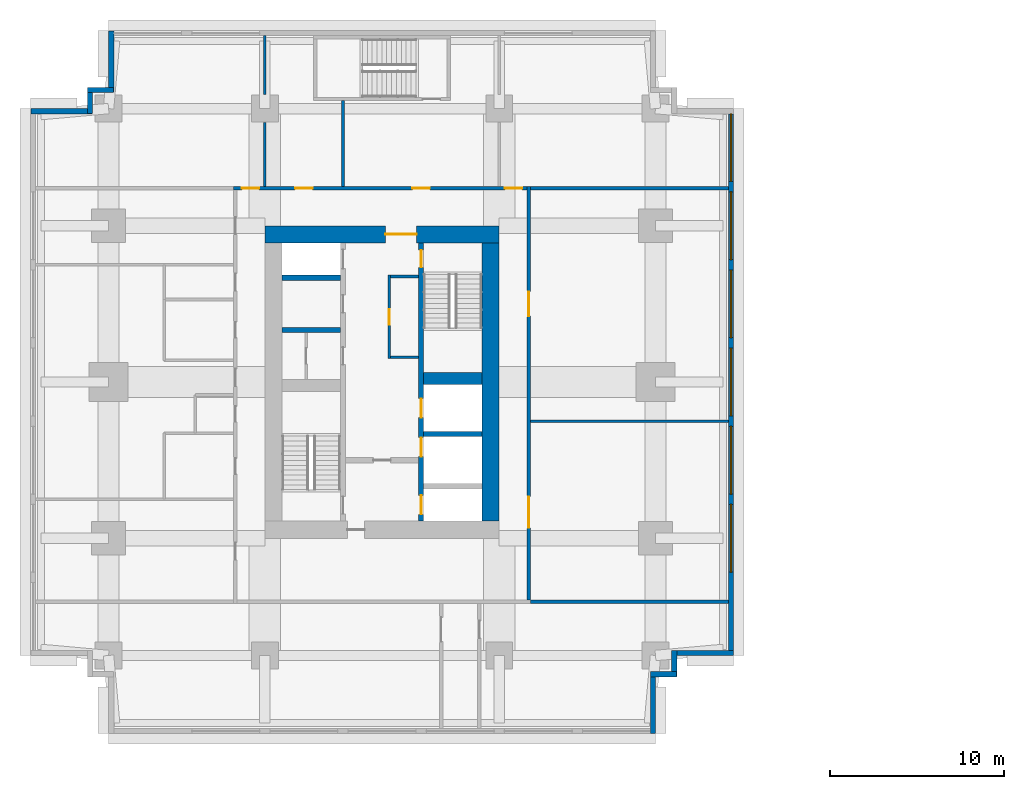
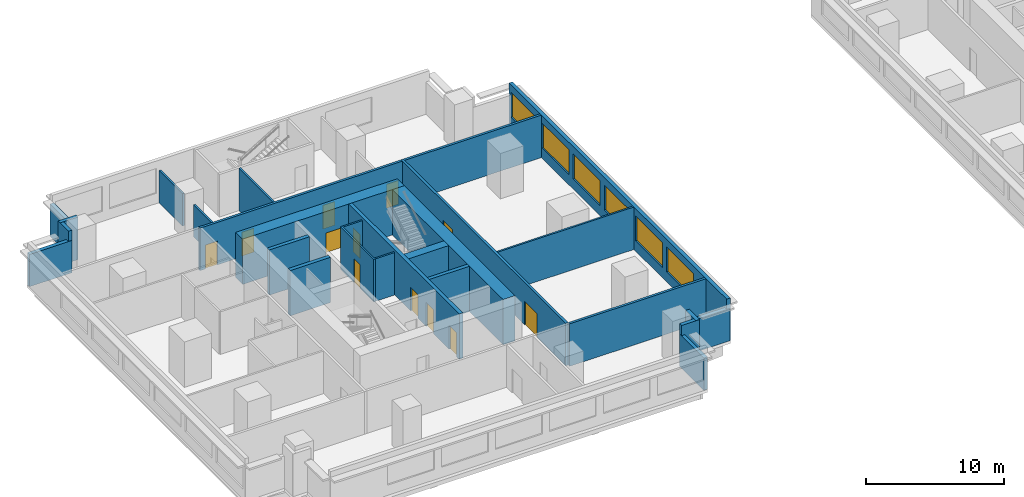
# One storey, part 4 of 11: 27 walls, 12 doors, 6 windows, 18 openings.
"""IFC4 building model written with IfcOpenShell, lengths in metres."""

from ifc_helpers import new_model, si_unit, direction, frame, frame_2d, origin, place, context, subcontext, project, spatial, rectangle, extrude, material, layer, layer_set, type_object, element, fill, save


model = new_model("IFC4")

# Units and contexts
model_context = context("Model", 3, precision=1e-05, world=origin(), true_north=direction((0.0, 1.0)))
body_context = subcontext(model_context, "Body", "Model", "MODEL_VIEW")
ifc_project = project(units=[si_unit("LENGTHUNIT", "METRE"), si_unit("AREAUNIT", "SQUARE_METRE"), si_unit("VOLUMEUNIT", "CUBIC_METRE"), si_unit("PLANEANGLEUNIT", "RADIAN"), si_unit("MASSUNIT", "GRAM", prefix="KILO")], contexts=[model_context])

# Site, building, storey
site_placement = place(None, origin())
site = spatial("IfcSite", under=ifc_project, at=site_placement, CompositionType="ELEMENT")
building_placement = place(site_placement, origin())
building = spatial("IfcBuilding", under=site, at=building_placement, Name="Namib Vertical Campus", CompositionType="ELEMENT")
storey_placement = place(building_placement, frame((0.0, 0.0, 205.0)))
storey = spatial("IfcBuildingStorey", under=building, at=storey_placement, Name="L48", CompositionType="ELEMENT", Elevation=205.0)

# Wall, openings, doors
ifc_material_1 = material(Name="Concrete C60/75", Category="concrete")
ifc_layer_1 = layer(ifc_material_1, 0.300048828125)
ifc_layer_set_1 = layer_set([ifc_layer_1], Name="Concrete C60/75")
wall_type_1 = type_object("IfcWallType", Name="Core inner wall 300", PredefinedType="SHEAR", material=ifc_layer_set_1)
wall_1_placement = place(storey_placement, frame((22.5, 12.25, 0.0), z_axis=(0.0, 0.0, 1.0), x_axis=(0.0, 1.0, 0.0)))
wall_1 = element("IfcWall", 1, at=wall_1_placement, inside=storey, type_object=wall_type_1, Name="Core inner wall A L48 W2", PredefinedType="SHEAR", context=body_context, shape_type="SweptSolid", body=[
    extrude(rectangle(XDim=16.0, YDim=0.300048828125, at=frame_2d((8.0, 0.0))), origin(), (0.0, 0.0, 1.0), 4.0),
])
opening_1_placement = place(wall_1_placement, frame((14.60009765625, 0.0, 0.0)))
opening_1 = element("IfcOpeningElement", 2, at=opening_1_placement, cuts=wall_1, Name="Opening FD1", PredefinedType="OPENING", context=body_context, shape_type="SweptSolid", body=[
    extrude(rectangle(XDim=1.0, YDim=2.10009765625, at=frame_2d((0.5, 1.050048828125))), frame((0.0, 0.159912109375, 0.0), z_axis=(0.0, -1.0, 0.0), x_axis=(1.0, 0.0, 0.0)), (0.0, 0.0, 1.0), 0.320068359375),
])
opening_2_placement = place(wall_1_placement, frame((0.375, 0.0, 0.0)))
opening_2 = element("IfcOpeningElement", 3, at=opening_2_placement, cuts=wall_1, Name="Opening LD1", PredefinedType="OPENING", context=body_context, shape_type="SweptSolid", body=[
    extrude(rectangle(XDim=1.10009765625, YDim=2.10009765625, at=frame_2d((0.550048828125, 1.050048828125))), frame((0.0, 0.159912109375, 0.0), z_axis=(0.0, -1.0, 0.0), x_axis=(1.0, 0.0, 0.0)), (0.0, 0.0, 1.0), 0.320068359375),
])
opening_3_placement = place(wall_1_placement, frame((3.699951171875, 0.0, 0.0)))
opening_3 = element("IfcOpeningElement", 4, at=opening_3_placement, cuts=wall_1, Name="Opening LD1", PredefinedType="OPENING", context=body_context, shape_type="SweptSolid", body=[
    extrude(rectangle(XDim=1.10009765625, YDim=2.10009765625, at=frame_2d((0.550048828125, 1.050048828125))), frame((0.0, 0.159912109375, 0.0), z_axis=(0.0, -1.0, 0.0), x_axis=(1.0, 0.0, 0.0)), (0.0, 0.0, 1.0), 0.320068359375),
])
opening_4_placement = place(wall_1_placement, frame((5.949951171875, 0.0, 0.0)))
opening_4 = element("IfcOpeningElement", 5, at=opening_4_placement, cuts=wall_1, Name="Opening LD1", PredefinedType="OPENING", context=body_context, shape_type="SweptSolid", body=[
    extrude(rectangle(XDim=1.10009765625, YDim=2.10009765625, at=frame_2d((0.550048828125, 1.050048828125))), frame((0.0, 0.159912109375, 0.0), z_axis=(0.0, -1.0, 0.0), x_axis=(1.0, 0.0, 0.0)), (0.0, 0.0, 1.0), 0.320068359375),
])
ifc_material_2 = material(Name="Steel fire door", Category="steel")
door_type_1 = type_object("IfcDoorType", Name="Fire door 1000x2100", OperationType="SINGLE_SWING_RIGHT", PredefinedType="DOOR", material=ifc_material_2)
door_1_placement = place(opening_1_placement, frame((1.0, 0.0, 0.0), z_axis=(0.0, 0.0, 1.0), x_axis=(-1.0, 0.0, 0.0)))
door_1 = element("IfcDoor", 6, at=door_1_placement, inside=storey, type_object=door_type_1, Name="Stair door FD1 A L48 S2", OperationType="SINGLE_SWING_LEFT", OverallHeight=2.10009765625, OverallWidth=1.0, PredefinedType="DOOR", context=body_context, shape_type="SweptSolid", body=[
    extrude(rectangle(XDim=1.0, YDim=2.10009765625, at=frame_2d((0.5, 1.050048828125))), frame((0.0, 0.02490234375, 0.0), z_axis=(0.0, -1.0, 0.0), x_axis=(1.0, 0.0, 0.0)), (0.0, 0.0, 1.0), 0.050048828125),
])
fill(opening_1, door_1)
ifc_material_3 = material(Name="Stainless steel lift door", Category="steel")
door_type_2 = type_object("IfcDoorType", Name="Lift landing door 1100x2100", OperationType="DOUBLE_DOOR_SLIDING", PredefinedType="DOOR", material=ifc_material_3)
door_2_placement = place(opening_2_placement, origin())
door_2 = element("IfcDoor", 7, at=door_2_placement, inside=storey, type_object=door_type_2, Name="Lift landing door LD1 A-FL1 L48", OperationType="DOUBLE_DOOR_SLIDING", OverallHeight=2.10009765625, OverallWidth=1.10009765625, PredefinedType="DOOR", context=body_context, shape_type="SweptSolid", body=[
    extrude(rectangle(XDim=1.10009765625, YDim=2.10009765625, at=frame_2d((0.550048828125, 1.050048828125))), frame((0.0, 0.02490234375, 0.0), z_axis=(0.0, -1.0, 0.0), x_axis=(1.0, 0.0, 0.0)), (0.0, 0.0, 1.0), 0.050048828125),
])
fill(opening_2, door_2)
door_3_placement = place(opening_3_placement, origin())
door_3 = element("IfcDoor", 8, at=door_3_placement, inside=storey, type_object=door_type_2, Name="Lift landing door LD1 A-P4 L48", OperationType="DOUBLE_DOOR_SLIDING", OverallHeight=2.10009765625, OverallWidth=1.10009765625, PredefinedType="DOOR", context=body_context, shape_type="SweptSolid", body=[
    extrude(rectangle(XDim=1.10009765625, YDim=2.10009765625, at=frame_2d((0.550048828125, 1.050048828125))), frame((0.0, 0.02490234375, 0.0), z_axis=(0.0, -1.0, 0.0), x_axis=(1.0, 0.0, 0.0)), (0.0, 0.0, 1.0), 0.050048828125),
])
fill(opening_3, door_3)
door_4_placement = place(opening_4_placement, origin())
door_4 = element("IfcDoor", 9, at=door_4_placement, inside=storey, type_object=door_type_2, Name="Lift landing door LD1 A-P5 L48", OperationType="DOUBLE_DOOR_SLIDING", OverallHeight=2.10009765625, OverallWidth=1.10009765625, PredefinedType="DOOR", context=body_context, shape_type="SweptSolid", body=[
    extrude(rectangle(XDim=1.10009765625, YDim=2.10009765625, at=frame_2d((0.550048828125, 1.050048828125))), frame((0.0, 0.02490234375, 0.0), z_axis=(0.0, -1.0, 0.0), x_axis=(1.0, 0.0, 0.0)), (0.0, 0.0, 1.0), 0.050048828125),
])
fill(opening_4, door_4)

# Walls
for number, where, z_axis, x_axis, name in (
    (10, (22.64990234375, 17.25, 0.0), (0.0, 0.0, 1.0), (1.0, 0.0, 0.0), "Core inner wall A L48 W6"),
    (11, (14.5, 23.25, 0.0), (0.0, 0.0, 1.0), (1.0, 0.0, 0.0), "Core inner wall A L48 W8"),
    (12, (14.5, 26.25, 0.0), (0.0, 0.0, 1.0), (1.0, 0.0, 0.0), "Core inner wall A L48 W9"),
):
    element("IfcWall", number, at=place(storey_placement, frame(where, z_axis=z_axis, x_axis=x_axis)), inside=storey, type_object=wall_type_1, Name=name, PredefinedType="SHEAR", context=body_context, shape_type="SweptSolid", body=[
        extrude(rectangle(XDim=3.35009765625, YDim=0.300048828125, at=frame_2d((1.675048828125, 0.0))), origin(), (0.0, 0.0, 1.0), 4.0),
    ])
ifc_material_4 = material(Name="Concrete C60/75", Category="concrete")
ifc_layer_2 = layer(ifc_material_4, 0.699951171875)
ifc_layer_set_2 = layer_set([ifc_layer_2], Name="Concrete C60/75")
wall_type_2 = type_object("IfcWallType", Name="Core shear wall 700", PredefinedType="SHEAR", material=ifc_layer_set_2)
wall_2_placement = place(storey_placement, frame((22.64990234375, 20.449951171875, 0.0), z_axis=(0.0, 0.0, 1.0), x_axis=(1.0, 0.0, 0.0)))
element("IfcWall", 13, at=wall_2_placement, inside=storey, type_object=wall_type_2, Name="Core shear wall A L48 W7", PredefinedType="SHEAR", context=body_context, shape_type="SweptSolid", body=[
    extrude(rectangle(XDim=3.35009765625, YDim=0.699951171875, at=frame_2d((1.675048828125, 0.0))), origin(), (0.0, 0.0, 1.0), 4.0),
])
ifc_material_5 = material(Name="Concrete C60/75", Category="concrete")
ifc_layer_3 = layer(ifc_material_5, 1.0)
ifc_layer_set_3 = layer_set([ifc_layer_3], Name="Concrete C60/75")
wall_type_3 = type_object("IfcWallType", Name="Core wall 1000", PredefinedType="SHEAR", material=ifc_layer_set_3)
wall_3_placement = place(storey_placement, frame((26.5, 12.25, 0.0), z_axis=(0.0, 0.0, 1.0), x_axis=(0.0, 1.0, 0.0)))
element("IfcWall", 14, at=wall_3_placement, inside=storey, type_object=wall_type_3, Name="Core wall A L48 2", PredefinedType="SHEAR", context=body_context, shape_type="SweptSolid", body=[
    extrude(rectangle(XDim=16.0, YDim=1.0, at=frame_2d((8.0, 0.0))), origin(), (0.0, 0.0, 1.0), 4.0),
])

# Wall, opening, door
wall_4_placement = place(storey_placement, frame((27.0, 28.75, 0.0), z_axis=(0.0, 0.0, 1.0), x_axis=(-1.0, 0.0, 0.0)))
wall_4 = element("IfcWall", 15, at=wall_4_placement, inside=storey, type_object=wall_type_3, Name="Core wall A L48 3", PredefinedType="SHEAR", context=body_context, shape_type="SweptSolid", body=[
    extrude(rectangle(XDim=13.5, YDim=1.0, at=frame_2d((6.75, 0.0))), origin(), (0.0, 0.0, 1.0), 4.0),
])
opening_5_placement = place(wall_4_placement, frame((4.75, 0.0, 0.0)))
opening_5 = element("IfcOpeningElement", 16, at=opening_5_placement, cuts=wall_4, Name="Opening FD2", PredefinedType="OPENING", context=body_context, shape_type="SweptSolid", body=[
    extrude(rectangle(XDim=1.800048828125, YDim=2.10009765625, at=frame_2d((0.89990234375, 1.050048828125))), frame((0.0, 0.510009765625, 0.0), z_axis=(0.0, -1.0, 0.0), x_axis=(1.0, 0.0, 0.0)), (0.0, 0.0, 1.0), 1.02001953125),
])
ifc_material_6 = material(Name="Steel fire door", Category="steel")
door_type_3 = type_object("IfcDoorType", Name="Fire door double 1800x2100", OperationType="DOUBLE_DOOR_SINGLE_SWING", PredefinedType="DOOR", material=ifc_material_6)
door_5_placement = place(opening_5_placement, origin())
door_5 = element("IfcDoor", 17, at=door_5_placement, inside=storey, type_object=door_type_3, Name="Lift lobby door FD2 A L48", OperationType="DOUBLE_DOOR_SINGLE_SWING", OverallHeight=2.10009765625, OverallWidth=1.800048828125, PredefinedType="DOOR", context=body_context, shape_type="SweptSolid", body=[
    extrude(rectangle(XDim=1.800048828125, YDim=2.10009765625, at=frame_2d((0.89990234375, 1.050048828125))), frame((0.0, 0.02490234375, 0.0), z_axis=(0.0, -1.0, 0.0), x_axis=(1.0, 0.0, 0.0)), (0.0, 0.0, 1.0), 0.050048828125),
])
fill(opening_5, door_5)

# Wall, openings, doors
ifc_material_7 = material(Name="Concrete masonry", Category="masonry")
ifc_layer_4 = layer(ifc_material_7, 0.199951171875)
ifc_layer_set_4 = layer_set([ifc_layer_4], Name="Corridor wall 200")
wall_type_4 = type_object("IfcWallType", Name="Corridor wall 200", PredefinedType="SOLIDWALL", material=ifc_layer_set_4)
wall_5_placement = place(storey_placement, frame((28.699951171875, 7.699951171875, 0.0), z_axis=(0.0, 0.0, 1.0), x_axis=(0.0, 1.0, 0.0)))
wall_5 = element("IfcWall", 18, at=wall_5_placement, inside=storey, type_object=wall_type_4, Name="Corridor wall A L48 CE", PredefinedType="SOLIDWALL", context=body_context, shape_type="SweptSolid", body=[
    extrude(rectangle(XDim=23.800048828125, YDim=0.199951171875, at=frame_2d((11.89990234375, 0.0))), origin(), (0.0, 0.0, 1.0), 3.75),
])
opening_6_placement = place(wall_5_placement, frame((4.14990234375, 0.0, 0.0)))
opening_6 = element("IfcOpeningElement", 19, at=opening_6_placement, cuts=wall_5, Name="Opening CD2", PredefinedType="OPENING", context=body_context, shape_type="SweptSolid", body=[
    extrude(rectangle(XDim=1.800048828125, YDim=2.10009765625, at=frame_2d((0.89990234375, 1.050048828125))), frame((0.0, 0.10986328125, 0.0), z_axis=(0.0, -1.0, 0.0), x_axis=(1.0, 0.0, 0.0)), (0.0, 0.0, 1.0), 0.219970703125),
])
opening_7_placement = place(wall_5_placement, frame((16.35009765625, 0.0, 0.0)))
opening_7 = element("IfcOpeningElement", 20, at=opening_7_placement, cuts=wall_5, Name="Opening LB1", PredefinedType="OPENING", context=body_context, shape_type="SweptSolid", body=[
    extrude(rectangle(XDim=1.39990234375, YDim=2.10009765625, at=frame_2d((0.699951171875, 1.050048828125))), frame((0.0, 0.10986328125, 0.0), z_axis=(0.0, -1.0, 0.0), x_axis=(1.0, 0.0, 0.0)), (0.0, 0.0, 1.0), 0.219970703125),
])
ifc_material_8 = material(Name="Timber fire door leaf", Category="wood")
door_type_4 = type_object("IfcDoorType", Name="Corridor door double 1800x2100 20 min", OperationType="DOUBLE_DOOR_SINGLE_SWING", PredefinedType="DOOR", material=ifc_material_8)
door_6_placement = place(opening_6_placement, frame((1.800048828125, 0.0, 0.0), z_axis=(0.0, 0.0, 1.0), x_axis=(-1.0, 0.0, 0.0)))
door_6 = element("IfcDoor", 21, at=door_6_placement, inside=storey, type_object=door_type_4, Name="Door CD2 A48-03", OperationType="DOUBLE_DOOR_SINGLE_SWING", OverallHeight=2.10009765625, OverallWidth=1.800048828125, PredefinedType="DOOR", context=body_context, shape_type="SweptSolid", body=[
    extrude(rectangle(XDim=1.800048828125, YDim=2.10009765625, at=frame_2d((0.89990234375, 1.050048828125))), frame((0.0, 0.02490234375, 0.0), z_axis=(0.0, -1.0, 0.0), x_axis=(1.0, 0.0, 0.0)), (0.0, 0.0, 1.0), 0.050048828125),
])
fill(opening_6, door_6)
ifc_material_9 = material(Name="Timber fire door leaf", Category="wood")
door_type_5 = type_object("IfcDoorType", Name="Laboratory door 1400x2100 leaf and a half", OperationType="DOUBLE_DOOR_SINGLE_SWING", PredefinedType="DOOR", material=ifc_material_9)
door_7_placement = place(opening_7_placement, frame((1.39990234375, 0.0, 0.0), z_axis=(0.0, 0.0, 1.0), x_axis=(-1.0, 0.0, 0.0)))
door_7 = element("IfcDoor", 22, at=door_7_placement, inside=storey, type_object=door_type_5, Name="Door LB1 A48-04", OperationType="DOUBLE_DOOR_SINGLE_SWING", OverallHeight=2.10009765625, OverallWidth=1.39990234375, PredefinedType="DOOR", context=body_context, shape_type="SweptSolid", body=[
    extrude(rectangle(XDim=1.39990234375, YDim=2.10009765625, at=frame_2d((0.699951171875, 1.050048828125))), frame((0.0, 0.02490234375, 0.0), z_axis=(0.0, -1.0, 0.0), x_axis=(1.0, 0.0, 0.0)), (0.0, 0.0, 1.0), 0.050048828125),
])
fill(opening_7, door_7)

wall_6_placement = place(storey_placement, frame((28.60009765625, 31.39990234375, 0.0), z_axis=(0.0, 0.0, 1.0), x_axis=(-1.0, 0.0, 0.0)))
wall_6 = element("IfcWall", 23, at=wall_6_placement, inside=storey, type_object=wall_type_4, Name="Corridor wall A L48 CN", PredefinedType="SOLIDWALL", context=body_context, shape_type="SweptSolid", body=[
    extrude(rectangle(XDim=16.900146484375, YDim=0.199951171875, at=frame_2d((8.4501953125, 0.0))), origin(), (0.0, 0.0, 1.0), 3.75),
])
opening_8_placement = place(wall_6_placement, frame((15.425048828125, 0.0, 0.0)))
opening_8 = element("IfcOpeningElement", 24, at=opening_8_placement, cuts=wall_6, Name="Opening CD1", PredefinedType="OPENING", context=body_context, shape_type="SweptSolid", body=[
    extrude(rectangle(XDim=1.0, YDim=2.10009765625, at=frame_2d((0.5, 1.050048828125))), frame((0.0, 0.10986328125, 0.0), z_axis=(0.0, -1.0, 0.0), x_axis=(1.0, 0.0, 0.0)), (0.0, 0.0, 1.0), 0.219970703125),
])
opening_9_placement = place(wall_6_placement, frame((12.35009765625, 0.0, 0.0)))
opening_9 = element("IfcOpeningElement", 25, at=opening_9_placement, cuts=wall_6, Name="Opening CD1", PredefinedType="OPENING", context=body_context, shape_type="SweptSolid", body=[
    extrude(rectangle(XDim=1.0, YDim=2.10009765625, at=frame_2d((0.5, 1.050048828125))), frame((0.0, 0.10986328125, 0.0), z_axis=(0.0, -1.0, 0.0), x_axis=(1.0, 0.0, 0.0)), (0.0, 0.0, 1.0), 0.219970703125),
])
opening_10_placement = place(wall_6_placement, frame((5.60009765625, 0.0, 0.0)))
opening_10 = element("IfcOpeningElement", 26, at=opening_10_placement, cuts=wall_6, Name="Opening CD4", PredefinedType="OPENING", context=body_context, shape_type="SweptSolid", body=[
    extrude(rectangle(XDim=1.0, YDim=2.10009765625, at=frame_2d((0.5, 1.050048828125))), frame((0.0, 0.10986328125, 0.0), z_axis=(0.0, -1.0, 0.0), x_axis=(1.0, 0.0, 0.0)), (0.0, 0.0, 1.0), 0.219970703125),
])
opening_11_placement = place(wall_6_placement, frame((0.27490234375, 0.0, 0.0)))
opening_11 = element("IfcOpeningElement", 27, at=opening_11_placement, cuts=wall_6, Name="Opening CD1", PredefinedType="OPENING", context=body_context, shape_type="SweptSolid", body=[
    extrude(rectangle(XDim=1.0, YDim=2.10009765625, at=frame_2d((0.5, 1.050048828125))), frame((0.0, 0.10986328125, 0.0), z_axis=(0.0, -1.0, 0.0), x_axis=(1.0, 0.0, 0.0)), (0.0, 0.0, 1.0), 0.219970703125),
])
ifc_material_10 = material(Name="Timber fire door leaf", Category="wood")
door_type_6 = type_object("IfcDoorType", Name="Corridor door 1000x2100 20 min", OperationType="SINGLE_SWING_LEFT", PredefinedType="DOOR", material=ifc_material_10)
door_8_placement = place(opening_8_placement, frame((1.0, 0.0, 0.0), z_axis=(0.0, 0.0, 1.0), x_axis=(-1.0, 0.0, 0.0)))
door_8 = element("IfcDoor", 28, at=door_8_placement, inside=storey, type_object=door_type_6, Name="Door CD1 A48-05", OperationType="SINGLE_SWING_RIGHT", OverallHeight=2.10009765625, OverallWidth=1.0, PredefinedType="DOOR", context=body_context, shape_type="SweptSolid", body=[
    extrude(rectangle(XDim=1.0, YDim=2.10009765625, at=frame_2d((0.5, 1.050048828125))), frame((0.0, 0.02490234375, 0.0), z_axis=(0.0, -1.0, 0.0), x_axis=(1.0, 0.0, 0.0)), (0.0, 0.0, 1.0), 0.050048828125),
])
fill(opening_8, door_8)
door_9_placement = place(opening_9_placement, frame((1.0, 0.0, 0.0), z_axis=(0.0, 0.0, 1.0), x_axis=(-1.0, 0.0, 0.0)))
door_9 = element("IfcDoor", 29, at=door_9_placement, inside=storey, type_object=door_type_6, Name="Door CD1 A48-06", OperationType="SINGLE_SWING_RIGHT", OverallHeight=2.10009765625, OverallWidth=1.0, PredefinedType="DOOR", context=body_context, shape_type="SweptSolid", body=[
    extrude(rectangle(XDim=1.0, YDim=2.10009765625, at=frame_2d((0.5, 1.050048828125))), frame((0.0, 0.02490234375, 0.0), z_axis=(0.0, -1.0, 0.0), x_axis=(1.0, 0.0, 0.0)), (0.0, 0.0, 1.0), 0.050048828125),
])
fill(opening_9, door_9)
door_10_placement = place(opening_11_placement, frame((1.0, 0.0, 0.0), z_axis=(0.0, 0.0, 1.0), x_axis=(-1.0, 0.0, 0.0)))
door_10 = element("IfcDoor", 30, at=door_10_placement, inside=storey, type_object=door_type_6, Name="Door CD1 A48-08", OperationType="SINGLE_SWING_LEFT", OverallHeight=2.10009765625, OverallWidth=1.0, PredefinedType="DOOR", context=body_context, shape_type="SweptSolid", body=[
    extrude(rectangle(XDim=1.0, YDim=2.10009765625, at=frame_2d((0.5, 1.050048828125))), frame((0.0, 0.02490234375, 0.0), z_axis=(0.0, -1.0, 0.0), x_axis=(1.0, 0.0, 0.0)), (0.0, 0.0, 1.0), 0.050048828125),
])
fill(opening_11, door_10)
ifc_material_11 = material(Name="Timber fire door leaf", Category="wood")
door_type_7 = type_object("IfcDoorType", Name="Corridor door 1000x2100 20 min double-acting", OperationType="DOUBLE_SWING_LEFT", PredefinedType="DOOR", material=ifc_material_11)
door_11_placement = place(opening_10_placement, origin())
door_11 = element("IfcDoor", 31, at=door_11_placement, inside=storey, type_object=door_type_7, Name="Door CD4 A48-07", OperationType="DOUBLE_SWING_LEFT", OverallHeight=2.10009765625, OverallWidth=1.0, PredefinedType="DOOR", context=body_context, shape_type="SweptSolid", body=[
    extrude(rectangle(XDim=1.0, YDim=2.10009765625, at=frame_2d((0.5, 1.050048828125))), frame((0.0, 0.02490234375, 0.0), z_axis=(0.0, -1.0, 0.0), x_axis=(1.0, 0.0, 0.0)), (0.0, 0.0, 1.0), 0.050048828125),
])
fill(opening_10, door_11)

# Walls
for number, where, z_axis, x_axis, name in (
    (32, (28.800048828125, 7.60009765625, 0.0), (0.0, 0.0, 1.0), (1.0, 0.0, 0.0), "Partition A L48 BSE"),
    (33, (28.800048828125, 31.39990234375, 0.0), (0.0, 0.0, 1.0), (1.0, 0.0, 0.0), "Partition A L48 BNE"),
):
    element("IfcWall", number, at=place(storey_placement, frame(where, z_axis=z_axis, x_axis=x_axis)), inside=storey, type_object=wall_type_4, Name=name, PredefinedType="SOLIDWALL", context=body_context, shape_type="SweptSolid", body=[
        extrude(rectangle(XDim=11.39990234375, YDim=0.199951171875, at=frame_2d((5.699951171875, 0.0))), origin(), (0.0, 0.0, 1.0), 3.75),
    ])
ifc_material_12 = material(Name="Concrete C40/50", Category="concrete")
ifc_layer_5 = layer(ifc_material_12, 0.300048828125)
ifc_layer_set_5 = layer_set([ifc_layer_5], Name="Concrete C40/50")
wall_type_5 = type_object("IfcWallType", Name="External wall 300 board-marked concrete", PredefinedType="STANDARD", material=ifc_layer_set_5)
wall_7_placement = place(storey_placement, frame((35.85009765625, 0.02001953125, 0.0), z_axis=(0.0, 0.0, 1.0), x_axis=(0.0, 1.0, 0.0)))
element("IfcWall", 34, at=wall_7_placement, inside=storey, type_object=wall_type_5, Name="External wall L48 F02", PredefinedType="STANDARD", context=body_context, shape_type="SweptSolid", body=[
    extrude(rectangle(XDim=3.534912109375, YDim=0.300048828125, at=frame_2d((1.767578125, 0.0))), origin(), (0.0, 0.0, 1.0), 2.85009765625),
])
for number, where, z_axis, x_axis, name in (
    (35, (35.719970703125, 3.425048828125, 0.0), (0.0, 0.0, 1.0), (1.0, 0.0, 0.0), "External wall L48 F03"),
    (36, (37.074951171875, 3.294921875, 0.0), (0.0, 0.0, 1.0), (0.0, 1.0, 0.0), "External wall L48 F04"),
):
    element("IfcWall", number, at=place(storey_placement, frame(where, z_axis=z_axis, x_axis=x_axis)), inside=storey, type_object=wall_type_5, Name=name, PredefinedType="STANDARD", context=body_context, shape_type="SweptSolid", body=[
        extrude(rectangle(XDim=1.485107421875, YDim=0.300048828125, at=frame_2d((0.74267578125, 0.0))), origin(), (0.0, 0.0, 1.0), 3.75),
    ])
wall_8_placement = place(storey_placement, frame((36.945068359375, 4.64990234375, 0.0), z_axis=(0.0, 0.0, 1.0), x_axis=(1.0, 0.0, 0.0)))
element("IfcWall", 37, at=wall_8_placement, inside=storey, type_object=wall_type_5, Name="External wall L48 F05", PredefinedType="STANDARD", context=body_context, shape_type="SweptSolid", body=[
    extrude(rectangle(XDim=3.534912109375, YDim=0.300048828125, at=frame_2d((1.767578125, 0.0))), origin(), (0.0, 0.0, 1.0), 2.85009765625),
])

# Wall, openings, windows
wall_9_placement = place(storey_placement, frame((40.35009765625, 4.52001953125, 0.0), z_axis=(0.0, 0.0, 1.0), x_axis=(0.0, 1.0, 0.0)))
wall_9 = element("IfcWall", 38, at=wall_9_placement, inside=storey, type_object=wall_type_5, Name="External wall L48 F06", PredefinedType="STANDARD", context=body_context, shape_type="SweptSolid", body=[
    extrude(rectangle(XDim=31.4599609375, YDim=0.300048828125, at=frame_2d((15.72998046875, 0.0))), origin(), (0.0, 0.0, 1.0), 3.75),
])
opening_12_placement = place(wall_9_placement, frame((4.780029296875, 0.0, 0.89990234375)))
opening_12 = element("IfcOpeningElement", 39, at=opening_12_placement, cuts=wall_9, Name="Opening W1", PredefinedType="OPENING", context=body_context, shape_type="SweptSolid", body=[
    extrude(rectangle(XDim=3.89990234375, YDim=2.199951171875, at=frame_2d((1.949951171875, 1.10009765625))), frame((0.0, 0.159912109375, 0.0), z_axis=(0.0, -1.0, 0.0), x_axis=(1.0, 0.0, 0.0)), (0.0, 0.0, 1.0), 0.320068359375),
])
opening_13_placement = place(wall_9_placement, frame((9.280029296875, 0.0, 0.89990234375)))
opening_13 = element("IfcOpeningElement", 40, at=opening_13_placement, cuts=wall_9, Name="Opening W1", PredefinedType="OPENING", context=body_context, shape_type="SweptSolid", body=[
    extrude(rectangle(XDim=3.89990234375, YDim=2.199951171875, at=frame_2d((1.949951171875, 1.10009765625))), frame((0.0, 0.159912109375, 0.0), z_axis=(0.0, -1.0, 0.0), x_axis=(1.0, 0.0, 0.0)), (0.0, 0.0, 1.0), 0.320068359375),
])
opening_14_placement = place(wall_9_placement, frame((13.780029296875, 0.0, 0.89990234375)))
opening_14 = element("IfcOpeningElement", 41, at=opening_14_placement, cuts=wall_9, Name="Opening W1", PredefinedType="OPENING", context=body_context, shape_type="SweptSolid", body=[
    extrude(rectangle(XDim=3.89990234375, YDim=2.199951171875, at=frame_2d((1.949951171875, 1.10009765625))), frame((0.0, 0.159912109375, 0.0), z_axis=(0.0, -1.0, 0.0), x_axis=(1.0, 0.0, 0.0)), (0.0, 0.0, 1.0), 0.320068359375),
])
opening_15_placement = place(wall_9_placement, frame((18.280029296875, 0.0, 0.89990234375)))
opening_15 = element("IfcOpeningElement", 42, at=opening_15_placement, cuts=wall_9, Name="Opening W1", PredefinedType="OPENING", context=body_context, shape_type="SweptSolid", body=[
    extrude(rectangle(XDim=3.89990234375, YDim=2.199951171875, at=frame_2d((1.949951171875, 1.10009765625))), frame((0.0, 0.159912109375, 0.0), z_axis=(0.0, -1.0, 0.0), x_axis=(1.0, 0.0, 0.0)), (0.0, 0.0, 1.0), 0.320068359375),
])
opening_16_placement = place(wall_9_placement, frame((22.780029296875, 0.0, 0.89990234375)))
opening_16 = element("IfcOpeningElement", 43, at=opening_16_placement, cuts=wall_9, Name="Opening W1", PredefinedType="OPENING", context=body_context, shape_type="SweptSolid", body=[
    extrude(rectangle(XDim=3.89990234375, YDim=2.199951171875, at=frame_2d((1.949951171875, 1.10009765625))), frame((0.0, 0.159912109375, 0.0), z_axis=(0.0, -1.0, 0.0), x_axis=(1.0, 0.0, 0.0)), (0.0, 0.0, 1.0), 0.320068359375),
])
opening_17_placement = place(wall_9_placement, frame((27.280029296875, 0.0, 0.89990234375)))
opening_17 = element("IfcOpeningElement", 44, at=opening_17_placement, cuts=wall_9, Name="Opening W1", PredefinedType="OPENING", context=body_context, shape_type="SweptSolid", body=[
    extrude(rectangle(XDim=3.89990234375, YDim=2.199951171875, at=frame_2d((1.949951171875, 1.10009765625))), frame((0.0, 0.159912109375, 0.0), z_axis=(0.0, -1.0, 0.0), x_axis=(1.0, 0.0, 0.0)), (0.0, 0.0, 1.0), 0.320068359375),
])
ifc_material_13 = material(Name="Dark tinted glass in black aluminium frame", Category="aluminium")
window_type = type_object("IfcWindowType", Name="Ribbon window 3900x2200", PartitioningType="SINGLE_PANEL", PredefinedType="WINDOW", material=ifc_material_13)
window_1_placement = place(opening_12_placement, origin())
window_1 = element("IfcWindow", 45, at=window_1_placement, inside=storey, type_object=window_type, Name="Window W1 L48 F06-2", OverallHeight=2.199951171875, OverallWidth=3.89990234375, PartitioningType="SINGLE_PANEL", PredefinedType="WINDOW", context=body_context, shape_type="SweptSolid", body=[
    extrude(rectangle(XDim=3.89990234375, YDim=2.199951171875, at=frame_2d((1.949951171875, 1.10009765625))), frame((0.0, 0.030029296875, 0.0), z_axis=(0.0, -1.0, 0.0), x_axis=(1.0, 0.0, 0.0)), (0.0, 0.0, 1.0), 0.06005859375),
])
fill(opening_12, window_1)
window_2_placement = place(opening_13_placement, origin())
window_2 = element("IfcWindow", 46, at=window_2_placement, inside=storey, type_object=window_type, Name="Window W1 L48 F06-3", OverallHeight=2.199951171875, OverallWidth=3.89990234375, PartitioningType="SINGLE_PANEL", PredefinedType="WINDOW", context=body_context, shape_type="SweptSolid", body=[
    extrude(rectangle(XDim=3.89990234375, YDim=2.199951171875, at=frame_2d((1.949951171875, 1.10009765625))), frame((0.0, 0.030029296875, 0.0), z_axis=(0.0, -1.0, 0.0), x_axis=(1.0, 0.0, 0.0)), (0.0, 0.0, 1.0), 0.06005859375),
])
fill(opening_13, window_2)
window_3_placement = place(opening_14_placement, origin())
window_3 = element("IfcWindow", 47, at=window_3_placement, inside=storey, type_object=window_type, Name="Window W1 L48 F06-4", OverallHeight=2.199951171875, OverallWidth=3.89990234375, PartitioningType="SINGLE_PANEL", PredefinedType="WINDOW", context=body_context, shape_type="SweptSolid", body=[
    extrude(rectangle(XDim=3.89990234375, YDim=2.199951171875, at=frame_2d((1.949951171875, 1.10009765625))), frame((0.0, 0.030029296875, 0.0), z_axis=(0.0, -1.0, 0.0), x_axis=(1.0, 0.0, 0.0)), (0.0, 0.0, 1.0), 0.06005859375),
])
fill(opening_14, window_3)
window_4_placement = place(opening_15_placement, origin())
window_4 = element("IfcWindow", 48, at=window_4_placement, inside=storey, type_object=window_type, Name="Window W1 L48 F06-5", OverallHeight=2.199951171875, OverallWidth=3.89990234375, PartitioningType="SINGLE_PANEL", PredefinedType="WINDOW", context=body_context, shape_type="SweptSolid", body=[
    extrude(rectangle(XDim=3.89990234375, YDim=2.199951171875, at=frame_2d((1.949951171875, 1.10009765625))), frame((0.0, 0.030029296875, 0.0), z_axis=(0.0, -1.0, 0.0), x_axis=(1.0, 0.0, 0.0)), (0.0, 0.0, 1.0), 0.06005859375),
])
fill(opening_15, window_4)
window_5_placement = place(opening_16_placement, origin())
window_5 = element("IfcWindow", 49, at=window_5_placement, inside=storey, type_object=window_type, Name="Window W1 L48 F06-6", OverallHeight=2.199951171875, OverallWidth=3.89990234375, PartitioningType="SINGLE_PANEL", PredefinedType="WINDOW", context=body_context, shape_type="SweptSolid", body=[
    extrude(rectangle(XDim=3.89990234375, YDim=2.199951171875, at=frame_2d((1.949951171875, 1.10009765625))), frame((0.0, 0.030029296875, 0.0), z_axis=(0.0, -1.0, 0.0), x_axis=(1.0, 0.0, 0.0)), (0.0, 0.0, 1.0), 0.06005859375),
])
fill(opening_16, window_5)
window_6_placement = place(opening_17_placement, origin())
window_6 = element("IfcWindow", 50, at=window_6_placement, inside=storey, type_object=window_type, Name="Window W1 L48 F06-7", OverallHeight=2.199951171875, OverallWidth=3.89990234375, PartitioningType="SINGLE_PANEL", PredefinedType="WINDOW", context=body_context, shape_type="SweptSolid", body=[
    extrude(rectangle(XDim=3.89990234375, YDim=2.199951171875, at=frame_2d((1.949951171875, 1.10009765625))), frame((0.0, 0.030029296875, 0.0), z_axis=(0.0, -1.0, 0.0), x_axis=(1.0, 0.0, 0.0)), (0.0, 0.0, 1.0), 0.06005859375),
])
fill(opening_17, window_6)

# Walls
wall_10_placement = place(storey_placement, frame((4.64990234375, 40.47998046875, 0.0), z_axis=(0.0, 0.0, 1.0), x_axis=(0.0, -1.0, 0.0)))
element("IfcWall", 51, at=wall_10_placement, inside=storey, type_object=wall_type_5, Name="External wall L48 F12", PredefinedType="STANDARD", context=body_context, shape_type="SweptSolid", body=[
    extrude(rectangle(XDim=3.534912109375, YDim=0.300048828125, at=frame_2d((1.767578125, 0.0))), origin(), (0.0, 0.0, 1.0), 2.85009765625),
])
for number, where, z_axis, x_axis, name in (
    (52, (4.780029296875, 37.074951171875, 0.0), (0.0, 0.0, 1.0), (-1.0, 0.0, 0.0), "External wall L48 F13"),
    (53, (3.425048828125, 37.205078125, 0.0), (0.0, 0.0, 1.0), (0.0, -1.0, 0.0), "External wall L48 F14"),
):
    element("IfcWall", number, at=place(storey_placement, frame(where, z_axis=z_axis, x_axis=x_axis)), inside=storey, type_object=wall_type_5, Name=name, PredefinedType="STANDARD", context=body_context, shape_type="SweptSolid", body=[
        extrude(rectangle(XDim=1.485107421875, YDim=0.300048828125, at=frame_2d((0.74267578125, 0.0))), origin(), (0.0, 0.0, 1.0), 3.75),
    ])
wall_11_placement = place(storey_placement, frame((3.554931640625, 35.85009765625, 0.0), z_axis=(0.0, 0.0, 1.0), x_axis=(-1.0, 0.0, 0.0)))
element("IfcWall", 54, at=wall_11_placement, inside=storey, type_object=wall_type_5, Name="External wall L48 F15", PredefinedType="STANDARD", context=body_context, shape_type="SweptSolid", body=[
    extrude(rectangle(XDim=3.534912109375, YDim=0.300048828125, at=frame_2d((1.767578125, 0.0))), origin(), (0.0, 0.0, 1.0), 2.85009765625),
])

# Wall, opening, door
ifc_material_14 = material(Name="Gypsum board on steel studs", Category="steel")
ifc_layer_6 = layer(ifc_material_14, 0.14990234375)
ifc_layer_set_6 = layer_set([ifc_layer_6], Name="Gypsum board on steel studs")
wall_type_6 = type_object("IfcWallType", Name="Partition 150", PredefinedType="PARTITIONING", material=ifc_layer_set_6)
wall_12_placement = place(storey_placement, frame((20.675048828125, 21.60009765625, 0.0), z_axis=(0.0, 0.0, 1.0), x_axis=(0.0, 1.0, 0.0)))
wall_12 = element("IfcWall", 55, at=wall_12_placement, inside=storey, type_object=wall_type_6, Name="Partition A L48 Staff pantry front", PredefinedType="PARTITIONING", context=body_context, shape_type="SweptSolid", body=[
    extrude(rectangle(XDim=4.7998046875, YDim=0.14990234375, at=frame_2d((2.39990234375, 0.0))), origin(), (0.0, 0.0, 1.0), 3.75),
])
opening_18_placement = place(wall_12_placement, frame((1.949951171875, 0.0, 0.0)))
opening_18 = element("IfcOpeningElement", 56, at=opening_18_placement, cuts=wall_12, Name="Opening D3", PredefinedType="OPENING", context=body_context, shape_type="SweptSolid", body=[
    extrude(rectangle(XDim=0.89990234375, YDim=2.10009765625, at=frame_2d((0.449951171875, 1.050048828125))), frame((0.0, 0.0849609375, 0.0), z_axis=(0.0, -1.0, 0.0), x_axis=(1.0, 0.0, 0.0)), (0.0, 0.0, 1.0), 0.169921875),
])
ifc_material_15 = material(Name="Timber door leaf", Category="wood")
door_type_8 = type_object("IfcDoorType", Name="Toilet door 900x2100", OperationType="SINGLE_SWING_LEFT", PredefinedType="DOOR", material=ifc_material_15)
door_12_placement = place(opening_18_placement, frame((0.89990234375, 0.0, 0.0), z_axis=(0.0, 0.0, 1.0), x_axis=(-1.0, 0.0, 0.0)))
door_12 = element("IfcDoor", 57, at=door_12_placement, inside=storey, type_object=door_type_8, Name="Door D3 Staff pantry A L48", OperationType="SINGLE_SWING_RIGHT", OverallHeight=2.10009765625, OverallWidth=0.89990234375, PredefinedType="DOOR", context=body_context, shape_type="SweptSolid", body=[
    extrude(rectangle(XDim=0.89990234375, YDim=2.10009765625, at=frame_2d((0.449951171875, 1.050048828125))), frame((0.0, 0.02490234375, 0.0), z_axis=(0.0, -1.0, 0.0), x_axis=(1.0, 0.0, 0.0)), (0.0, 0.0, 1.0), 0.050048828125),
])
fill(opening_18, door_12)

# Walls
for number, where, z_axis, x_axis, name in (
    (58, (20.75, 21.675048828125, 0.0), (0.0, 0.0, 1.0), (1.0, 0.0, 0.0), "Partition A L48 Staff pantry end 1"),
    (59, (20.75, 26.324951171875, 0.0), (0.0, 0.0, 1.0), (1.0, 0.0, 0.0), "Partition A L48 Staff pantry end 2"),
):
    element("IfcWall", number, at=place(storey_placement, frame(where, z_axis=z_axis, x_axis=x_axis)), inside=storey, type_object=wall_type_6, Name=name, PredefinedType="PARTITIONING", context=body_context, shape_type="SweptSolid", body=[
        extrude(rectangle(XDim=1.60009765625, YDim=0.14990234375, at=frame_2d((0.800048828125, 0.0))), origin(), (0.0, 0.0, 1.0), 3.75),
    ])
wall_13_placement = place(storey_placement, frame((13.5, 31.5, 0.0), z_axis=(0.0, 0.0, 1.0), x_axis=(0.0, 1.0, 0.0)))
element("IfcWall", 60, at=wall_13_placement, inside=storey, type_object=wall_type_6, Name="Partition A L48 PN1", PredefinedType="PARTITIONING", context=body_context, shape_type="SweptSolid", body=[
    extrude(rectangle(XDim=3.705078125, YDim=0.14990234375, at=frame_2d((1.8525390625, 0.0))), origin(), (0.0, 0.0, 1.0), 2.85009765625),
])
wall_14_placement = place(storey_placement, frame((13.5, 36.794921875, 0.0), z_axis=(0.0, 0.0, 1.0), x_axis=(0.0, 1.0, 0.0)))
element("IfcWall", 61, at=wall_14_placement, inside=storey, type_object=wall_type_6, Name="Partition A L48 PN1", PredefinedType="PARTITIONING", context=body_context, shape_type="SweptSolid", body=[
    extrude(rectangle(XDim=3.405029296875, YDim=0.14990234375, at=frame_2d((1.70263671875, 0.0))), origin(), (0.0, 0.0, 1.0), 2.85009765625),
])
wall_15_placement = place(storey_placement, frame((18.0, 31.5, 0.0), z_axis=(0.0, 0.0, 1.0), x_axis=(0.0, 1.0, 0.0)))
element("IfcWall", 62, at=wall_15_placement, inside=storey, type_object=wall_type_6, Name="Partition A L48 PN2", PredefinedType="PARTITIONING", context=body_context, shape_type="SweptSolid", body=[
    extrude(rectangle(XDim=4.949951171875, YDim=0.14990234375, at=frame_2d((2.47509765625, 0.0))), origin(), (0.0, 0.0, 1.0), 3.75),
])
wall_16_placement = place(storey_placement, frame((28.800048828125, 18.0, 0.0), z_axis=(0.0, 0.0, 1.0), x_axis=(1.0, 0.0, 0.0)))
element("IfcWall", 63, at=wall_16_placement, inside=storey, type_object=wall_type_6, Name="Partition A L48 PE1", PredefinedType="PARTITIONING", context=body_context, shape_type="SweptSolid", body=[
    extrude(rectangle(XDim=11.39990234375, YDim=0.14990234375, at=frame_2d((5.699951171875, 0.0))), origin(), (0.0, 0.0, 1.0), 3.75),
])

save(model, "model.ifc")
